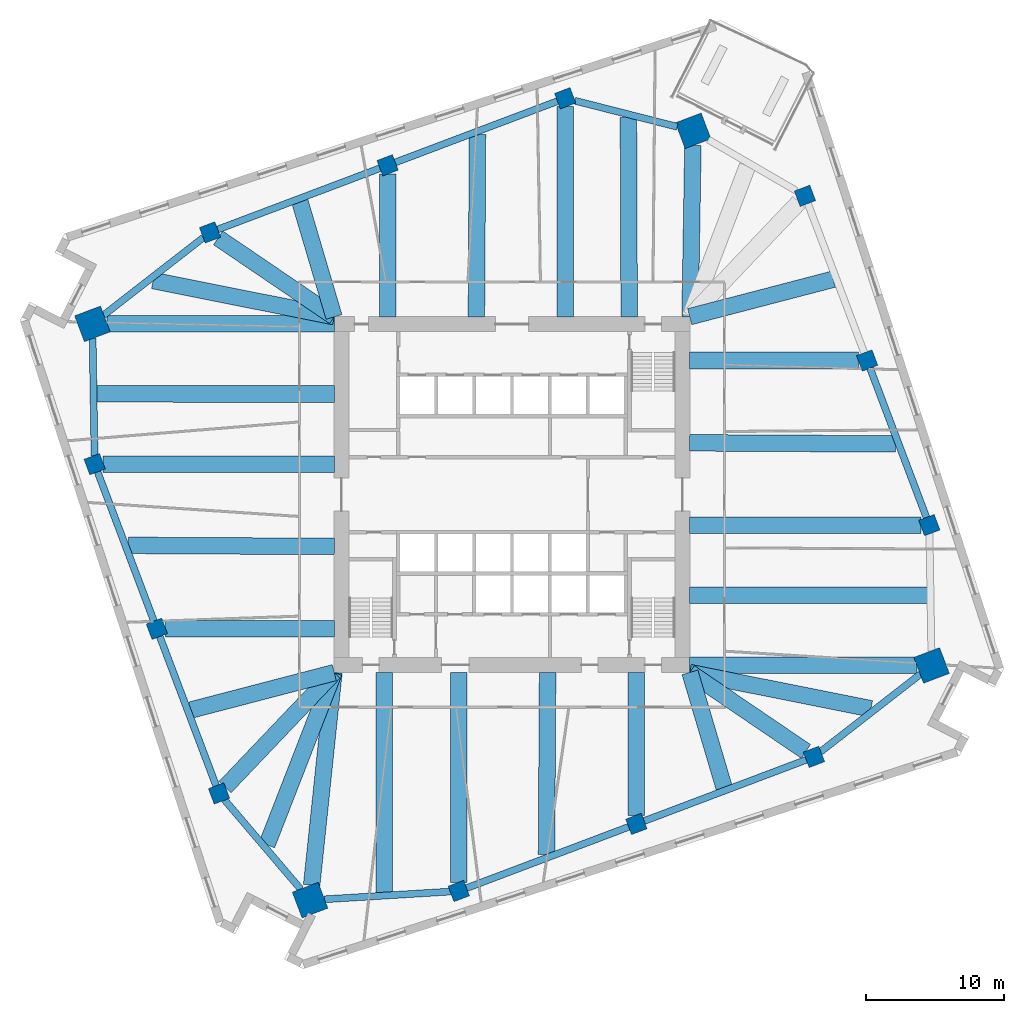
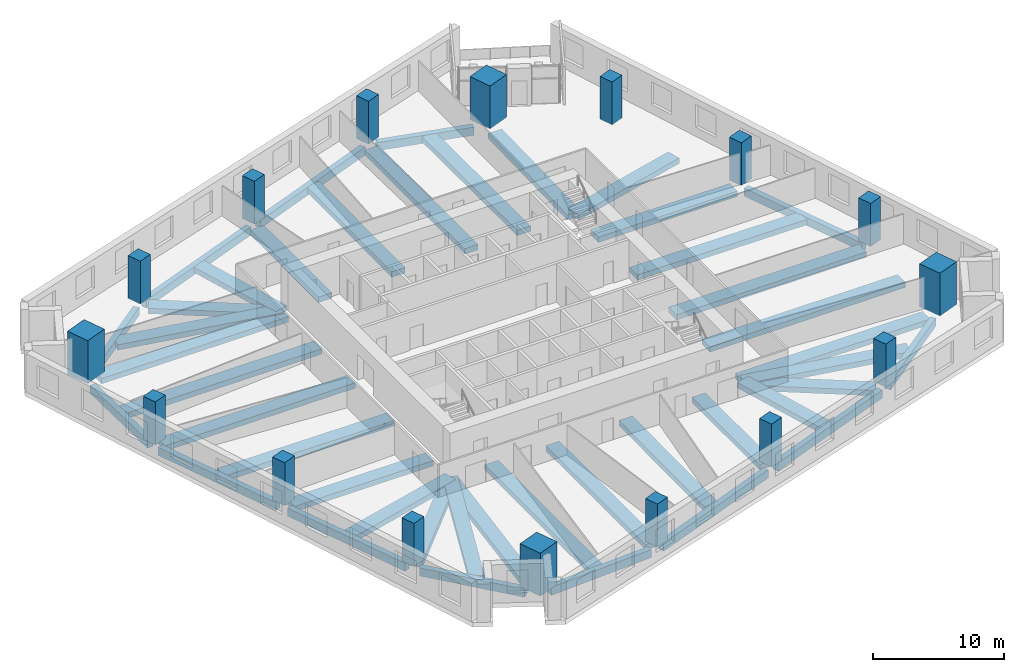
# One storey, part 1 of 12: 43 beams, 16 columns.
"""IFC4 building model written with IfcOpenShell, lengths in metres."""

from ifc_helpers import new_model, si_unit, direction, frame, origin, origin_2d, place, context, subcontext, project, spatial, rectangle, extrude, material, material_profile, profile_set, type_object, element, save


model = new_model("IFC4")

# Units and contexts
model_context = context("Model", 3, precision=1e-05, world=origin(), true_north=direction((0.0, 1.0)))
body_context = subcontext(model_context, "Body", "Model", "MODEL_VIEW")
ifc_project = project(units=[si_unit("LENGTHUNIT", "METRE"), si_unit("AREAUNIT", "SQUARE_METRE"), si_unit("VOLUMEUNIT", "CUBIC_METRE"), si_unit("PLANEANGLEUNIT", "RADIAN"), si_unit("MASSUNIT", "GRAM", prefix="KILO")], contexts=[model_context])

# Site, building, storey
site_placement = place(None, origin())
site = spatial("IfcSite", under=ifc_project, at=site_placement, CompositionType="ELEMENT")
building_placement = place(site_placement, origin())
building = spatial("IfcBuilding", under=site, at=building_placement, Name="Dilmun Exchange Tower", CompositionType="ELEMENT")
storey_placement = place(building_placement, frame((0.0, 0.0, 98.10009765625)))
storey = spatial("IfcBuildingStorey", under=building, at=storey_placement, Name="L22", CompositionType="ELEMENT", Elevation=98.10009765625)

# Columns
ifc_material_1 = material(Name="Concrete C70/85", Category="concrete")
ifc_material_profile_1 = material_profile(ifc_material_1, rectangle(XDim=2.0, YDim=2.0, at=origin_2d()), Name="2000 x 2000")
ifc_profile_set_1 = profile_set([ifc_material_profile_1], Name="Concrete C70/85")
column_type_1 = type_object("IfcColumnType", Name="RC mega column 2000 x 2000 C70/85", PredefinedType="COLUMN", material=ifc_profile_set_1)
for number, where, z_axis, x_axis, name in (
    (1, (13.1220703125, 26.35400390625, 0.0), (0.0, 0.0, 1.0), (0.935491525991, 0.353349125935, 0.0), "Mega column M1"),
    (2, (-30.39404296875, 12.37109375, 0.0), (0.0, 0.0, 1.0), (0.935491525991, 0.353349125935, 0.0), "Mega column M2"),
    (3, (-14.6259765625, -29.3759765625, 0.0), (0.0, 0.0, 1.0), (0.935491525991, 0.353349125935, 0.0), "Mega column M3"),
    (4, (30.39404296875, -12.37109375, 0.0), (0.0, 0.0, 1.0), (0.935491525991, 0.353349125935, 0.0), "Mega column M4"),
):
    element("IfcColumn", number, at=place(storey_placement, frame(where, z_axis=z_axis, x_axis=x_axis)), inside=storey, type_object=column_type_1, Name=name, PredefinedType="COLUMN", context=body_context, shape_type="SweptSolid", body=[
        extrude(rectangle(XDim=2.0, YDim=2.0, at=origin_2d()), origin(), (0.0, 0.0, 1.0), 4.0),
    ])
ifc_material_profile_2 = material_profile(ifc_material_1, rectangle(XDim=1.199951171875, YDim=1.199951171875, at=origin_2d()), Name="1200 x 1200")
ifc_profile_set_2 = profile_set([ifc_material_profile_2], Name="Concrete C70/85")
column_type_2 = type_object("IfcColumnType", Name="RC ring column 1200 x 1200 C70/85", PredefinedType="COLUMN", material=ifc_profile_set_2)
for number, where, z_axis, x_axis, name in (
    (5, (3.85302734375, 28.714111328125, 0.0), (0.0, 0.0, 1.0), (0.935491525991, 0.353349125935, 0.0), "Ring column R01"),
    (6, (-9.010009765625, 23.85498046875, 0.0), (0.0, 0.0, 1.0), (0.935491525991, 0.353349125935, 0.0), "Ring column R02"),
    (7, (-21.873046875, 18.99609375, 0.0), (0.0, 0.0, 1.0), (0.935491525991, 0.353349125935, 0.0), "Ring column R03"),
    (8, (-30.23095703125, 2.2099609375, 0.0), (0.0, 0.0, 1.0), (0.935491525991, 0.353349125935, 0.0), "Ring column R04"),
    (9, (-25.72607421875, -9.717041015625, 0.0), (0.0, 0.0, 1.0), (0.935491525991, 0.353349125935, 0.0), "Ring column R05"),
    (10, (-21.220947265625, -21.64501953125, 0.0), (0.0, 0.0, 1.0), (0.935491525991, 0.353349125935, 0.0), "Ring column R06"),
    (11, (-3.85302734375, -28.714111328125, 0.0), (0.0, 0.0, 1.0), (0.935491525991, 0.353349125935, 0.0), "Ring column R07"),
    (12, (9.010009765625, -23.85498046875, 0.0), (0.0, 0.0, 1.0), (0.935491525991, 0.353349125935, 0.0), "Ring column R08"),
    (13, (21.873046875, -18.99609375, 0.0), (0.0, 0.0, 1.0), (0.935491525991, 0.353349125935, 0.0), "Ring column R09"),
    (14, (30.23095703125, -2.2099609375, 0.0), (0.0, 0.0, 1.0), (0.935491525991, 0.353349125935, 0.0), "Ring column R10"),
    (15, (25.72607421875, 9.717041015625, 0.0), (0.0, 0.0, 1.0), (0.935491525991, 0.353349125935, 0.0), "Ring column R11"),
    (16, (21.220947265625, 21.64501953125, 0.0), (0.0, 0.0, 1.0), (0.935491525991, 0.353349125935, 0.0), "Ring column R12"),
):
    element("IfcColumn", number, at=place(storey_placement, frame(where, z_axis=z_axis, x_axis=x_axis)), inside=storey, type_object=column_type_2, Name=name, PredefinedType="COLUMN", context=body_context, shape_type="SweptSolid", body=[
        extrude(rectangle(XDim=1.199951171875, YDim=1.199951171875, at=origin_2d()), origin(), (0.0, 0.0, 1.0), 4.0),
    ])

# Beams
ifc_material_2 = material(Name="Concrete C40/50", Category="concrete")
ifc_material_profile_3 = material_profile(ifc_material_2, rectangle(XDim=1.199951171875, YDim=0.5, at=origin_2d()), Name="1200 x 500")
ifc_profile_set_3 = profile_set([ifc_material_profile_3], Name="Concrete C40/50")
beam_type_1 = type_object("IfcBeamType", Name="RC band beam 1200 x 500 C40/50", PredefinedType="BEAM", material=ifc_profile_set_3)
beam_1_placement = place(storey_placement, frame((13.104736328125, 25.305419921875, -0.77001953125), z_axis=(-0.016493249431, -0.99986397711, 0.0), x_axis=(0.99986397711, -0.016493249431, 0.0)))
element("IfcBeam", 17, at=beam_1_placement, inside=storey, type_object=beam_type_1, Name="Band beam 1", PredefinedType="BEAM", context=body_context, shape_type="SweptSolid", body=[
    extrude(rectangle(XDim=1.199951171875, YDim=0.5, at=origin_2d()), origin(), (0.0, 0.0, 1.0), 12.43408203125),
])
beam_2_placement = place(storey_placement, frame((3.85302734375, 28.099609375, -0.77001953125), z_axis=(0.0, -1.0, 0.0), x_axis=(1.0, 0.0, 0.0)))
element("IfcBeam", 18, at=beam_2_placement, inside=storey, type_object=beam_type_1, Name="Band beam 2", PredefinedType="BEAM", context=body_context, shape_type="SweptSolid", body=[
    extrude(rectangle(XDim=1.199951171875, YDim=0.5, at=origin_2d()), origin(), (0.0, 0.0, 1.0), 15.2265625),
])
beam_3_placement = place(storey_placement, frame((-9.010009765625, 23.240478515625, -0.77001953125), z_axis=(0.0, -1.0, 0.0), x_axis=(1.0, 0.0, 0.0)))
element("IfcBeam", 19, at=beam_3_placement, inside=storey, type_object=beam_type_1, Name="Band beam 3", PredefinedType="BEAM", context=body_context, shape_type="SweptSolid", body=[
    extrude(rectangle(XDim=1.199951171875, YDim=0.5, at=origin_2d()), origin(), (0.0, 0.0, 1.0), 10.367431640625),
])
beam_4_placement = place(storey_placement, frame((-21.28857421875, 18.59912109375, -0.77001953125), z_axis=(0.827157308771, -0.561970449888, 0.0), x_axis=(0.561970449888, 0.827157308771, 0.0)))
element("IfcBeam", 20, at=beam_4_placement, inside=storey, type_object=beam_type_1, Name="Band beam 4", PredefinedType="BEAM", context=body_context, shape_type="SweptSolid", body=[
    extrude(rectangle(XDim=1.199951171875, YDim=0.5, at=origin_2d()), origin(), (0.0, 0.0, 1.0), 10.16845703125),
])
beam_5_placement = place(storey_placement, frame((-29.35205078125, 12.37109375, -0.77001953125), z_axis=(1.0, 0.0, 0.0), x_axis=(0.0, 1.0, 0.0)))
element("IfcBeam", 21, at=beam_5_placement, inside=storey, type_object=beam_type_1, Name="Band beam 5", PredefinedType="BEAM", context=body_context, shape_type="SweptSolid", body=[
    extrude(rectangle(XDim=1.199951171875, YDim=0.5, at=origin_2d()), origin(), (0.0, 0.0, 1.0), 16.47900390625),
])
beam_6_placement = place(storey_placement, frame((-29.61669921875, 2.2099609375, -0.77001953125), z_axis=(1.0, 0.0, 0.0), x_axis=(0.0, 1.0, 0.0)))
element("IfcBeam", 22, at=beam_6_placement, inside=storey, type_object=beam_type_1, Name="Band beam 6", PredefinedType="BEAM", context=body_context, shape_type="SweptSolid", body=[
    extrude(rectangle(XDim=1.199951171875, YDim=0.5, at=origin_2d()), origin(), (0.0, 0.0, 1.0), 16.74365234375),
])
beam_7_placement = place(storey_placement, frame((-25.111572265625, -9.717041015625, -0.77001953125), z_axis=(1.0, 0.0, 0.0), x_axis=(0.0, 1.0, 0.0)))
element("IfcBeam", 23, at=beam_7_placement, inside=storey, type_object=beam_type_1, Name="Band beam 7", PredefinedType="BEAM", context=body_context, shape_type="SweptSolid", body=[
    extrude(rectangle(XDim=1.199951171875, YDim=0.5, at=origin_2d()), origin(), (0.0, 0.0, 1.0), 12.238525390625),
])
beam_8_placement = place(storey_placement, frame((-20.780517578125, -21.181884765625, -0.77001953125), z_axis=(0.689333244672, 0.724444392476, 0.0), x_axis=(-0.724444392476, 0.689333244672, 0.0)))
element("IfcBeam", 24, at=beam_8_placement, inside=storey, type_object=beam_type_1, Name="Band beam 8", PredefinedType="BEAM", context=body_context, shape_type="SweptSolid", body=[
    extrude(rectangle(XDim=1.199951171875, YDim=0.5, at=origin_2d()), origin(), (0.0, 0.0, 1.0), 11.459228515625),
])
beam_9_placement = place(storey_placement, frame((-14.51220703125, -28.289794921875, -0.77001953125), z_axis=(0.104185478447, 0.994557884731, 0.0), x_axis=(-0.994557884731, 0.104185478447, 0.0)))
element("IfcBeam", 25, at=beam_9_placement, inside=storey, type_object=beam_type_1, Name="Band beam 9", PredefinedType="BEAM", context=body_context, shape_type="SweptSolid", body=[
    extrude(rectangle(XDim=1.199951171875, YDim=0.5, at=origin_2d()), origin(), (0.0, 0.0, 1.0), 15.501220703125),
])
beam_10_placement = place(storey_placement, frame((-3.85302734375, -28.099609375, -0.77001953125), z_axis=(0.0, 1.0, 0.0), x_axis=(-1.0, 0.0, 0.0)))
element("IfcBeam", 26, at=beam_10_placement, inside=storey, type_object=beam_type_1, Name="Band beam 10", PredefinedType="BEAM", context=body_context, shape_type="SweptSolid", body=[
    extrude(rectangle(XDim=1.199951171875, YDim=0.5, at=origin_2d()), origin(), (0.0, 0.0, 1.0), 15.2265625),
])
beam_11_placement = place(storey_placement, frame((9.010009765625, -23.240478515625, -0.77001953125), z_axis=(0.0, 1.0, 0.0), x_axis=(-1.0, 0.0, 0.0)))
element("IfcBeam", 27, at=beam_11_placement, inside=storey, type_object=beam_type_1, Name="Band beam 11", PredefinedType="BEAM", context=body_context, shape_type="SweptSolid", body=[
    extrude(rectangle(XDim=1.199951171875, YDim=0.5, at=origin_2d()), origin(), (0.0, 0.0, 1.0), 10.367431640625),
])
beam_12_placement = place(storey_placement, frame((21.28857421875, -18.59912109375, -0.77001953125), z_axis=(-0.827157308771, 0.561970449888, 0.0), x_axis=(-0.561970449888, -0.827157308771, 0.0)))
element("IfcBeam", 28, at=beam_12_placement, inside=storey, type_object=beam_type_1, Name="Band beam 12", PredefinedType="BEAM", context=body_context, shape_type="SweptSolid", body=[
    extrude(rectangle(XDim=1.199951171875, YDim=0.5, at=origin_2d()), origin(), (0.0, 0.0, 1.0), 10.16845703125),
])
beam_13_placement = place(storey_placement, frame((29.35205078125, -12.37109375, -0.77001953125), z_axis=(-1.0, 0.0, 0.0), x_axis=(0.0, -1.0, 0.0)))
element("IfcBeam", 29, at=beam_13_placement, inside=storey, type_object=beam_type_1, Name="Band beam 13", PredefinedType="BEAM", context=body_context, shape_type="SweptSolid", body=[
    extrude(rectangle(XDim=1.199951171875, YDim=0.5, at=origin_2d()), origin(), (0.0, 0.0, 1.0), 16.47900390625),
])
beam_14_placement = place(storey_placement, frame((29.61669921875, -2.2099609375, -0.77001953125), z_axis=(-1.0, 0.0, 0.0), x_axis=(0.0, -1.0, 0.0)))
element("IfcBeam", 30, at=beam_14_placement, inside=storey, type_object=beam_type_1, Name="Band beam 14", PredefinedType="BEAM", context=body_context, shape_type="SweptSolid", body=[
    extrude(rectangle(XDim=1.199951171875, YDim=0.5, at=origin_2d()), origin(), (0.0, 0.0, 1.0), 16.74365234375),
])
beam_15_placement = place(storey_placement, frame((25.111572265625, 9.717041015625, -0.77001953125), z_axis=(-1.0, 0.0, 0.0), x_axis=(0.0, -1.0, 0.0)))
element("IfcBeam", 31, at=beam_15_placement, inside=storey, type_object=beam_type_1, Name="Band beam 15", PredefinedType="BEAM", context=body_context, shape_type="SweptSolid", body=[
    extrude(rectangle(XDim=1.199951171875, YDim=0.5, at=origin_2d()), origin(), (0.0, 0.0, 1.0), 12.238525390625),
])
beam_16_placement = place(storey_placement, frame((8.4326171875, 27.31787109375, -0.670166015625), z_axis=(0.003802832253, -0.999992769207, 0.0), x_axis=(0.999992769207, 0.003802832253, 0.0)))
element("IfcBeam", 32, at=beam_16_placement, inside=storey, type_object=beam_type_1, Name="Band beam 17", PredefinedType="BEAM", context=body_context, shape_type="SweptSolid", body=[
    extrude(rectangle(XDim=1.199951171875, YDim=0.5, at=origin_2d()), origin(), (0.0, 0.0, 1.0), 14.44482421875),
])
beam_17_placement = place(storey_placement, frame((-2.499755859375, 26.075927734375, -0.670166015625), z_axis=(-0.005972637047, -0.999982163644, 0.0), x_axis=(0.999982163644, -0.005972637047, 0.0)))
element("IfcBeam", 33, at=beam_17_placement, inside=storey, type_object=beam_type_1, Name="Band beam 18", PredefinedType="BEAM", context=body_context, shape_type="SweptSolid", body=[
    extrude(rectangle(XDim=1.199951171875, YDim=0.5, at=origin_2d()), origin(), (0.0, 0.0, 1.0), 13.203125),
])
beam_18_placement = place(storey_placement, frame((-15.36279296875, 21.216796875, -0.670166015625), z_axis=(0.283932601838, -0.958844240538, 0.0), x_axis=(0.958844240538, 0.283932601838, 0.0)))
element("IfcBeam", 34, at=beam_18_placement, inside=storey, type_object=beam_type_1, Name="Band beam 19", PredefinedType="BEAM", context=body_context, shape_type="SweptSolid", body=[
    extrude(rectangle(XDim=1.199951171875, YDim=0.5, at=origin_2d()), origin(), (0.0, 0.0, 1.0), 8.700927734375),
])
beam_19_placement = place(storey_placement, frame((-25.99658203125, 15.50732421875, -0.670166015625), z_axis=(0.980746640289, -0.19528447855, 0.0), x_axis=(0.19528447855, 0.980746640289, 0.0)))
element("IfcBeam", 35, at=beam_19_placement, inside=storey, type_object=beam_type_1, Name="Band beam 20", PredefinedType="BEAM", context=body_context, shape_type="SweptSolid", body=[
    extrude(rectangle(XDim=1.199951171875, YDim=0.5, at=origin_2d()), origin(), (0.0, 0.0, 1.0), 13.380615234375),
])
beam_20_placement = place(storey_placement, frame((-30.089599609375, 7.294189453125, -0.670166015625), z_axis=(0.999999977378, -0.000212708627, 0.0), x_axis=(0.000212708627, 0.999999977378, 0.0)))
element("IfcBeam", 36, at=beam_20_placement, inside=storey, type_object=beam_type_1, Name="Band beam 21", PredefinedType="BEAM", context=body_context, shape_type="SweptSolid", body=[
    extrude(rectangle(XDim=1.199951171875, YDim=0.5, at=origin_2d()), origin(), (0.0, 0.0, 1.0), 17.216552734375),
])
beam_21_placement = place(storey_placement, frame((-27.77001953125, -3.6748046875, -0.670166015625), z_axis=(0.999986076233, -0.005277057861, 0.0), x_axis=(0.005277057861, 0.999986076233, 0.0)))
element("IfcBeam", 37, at=beam_21_placement, inside=storey, type_object=beam_type_1, Name="Band beam 22", PredefinedType="BEAM", context=body_context, shape_type="SweptSolid", body=[
    extrude(rectangle(XDim=1.199951171875, YDim=0.5, at=origin_2d()), origin(), (0.0, 0.0, 1.0), 14.897216796875),
])
beam_22_placement = place(storey_placement, frame((-23.264892578125, -15.602294921875, -0.670166015625), z_axis=(0.967651305888, 0.252291399404, 0.0), x_axis=(-0.252291399404, 0.967651305888, 0.0)))
element("IfcBeam", 38, at=beam_22_placement, inside=storey, type_object=beam_type_1, Name="Band beam 23", PredefinedType="BEAM", context=body_context, shape_type="SweptSolid", body=[
    extrude(rectangle(XDim=1.199951171875, YDim=0.5, at=origin_2d()), origin(), (0.0, 0.0, 1.0), 10.738525390625),
])
beam_23_placement = place(storey_placement, frame((-17.75390625, -25.36572265625, -0.670166015625), z_axis=(0.362868113779, 0.931840507814, 0.0), x_axis=(-0.931840507814, 0.362868113779, 0.0)))
element("IfcBeam", 39, at=beam_23_placement, inside=storey, type_object=beam_type_1, Name="Band beam 24", PredefinedType="BEAM", context=body_context, shape_type="SweptSolid", body=[
    extrude(rectangle(XDim=1.199951171875, YDim=0.5, at=origin_2d()), origin(), (0.0, 0.0, 1.0), 13.404296875),
])
beam_24_placement = place(storey_placement, frame((-9.253173828125, -28.822509765625, -0.670166015625), z_axis=(0.000857199397, 0.999999632605, 0.0), x_axis=(-0.999999632605, 0.000857199397, 0.0)))
element("IfcBeam", 40, at=beam_24_placement, inside=storey, type_object=beam_type_1, Name="Band beam 25", PredefinedType="BEAM", context=body_context, shape_type="SweptSolid", body=[
    extrude(rectangle(XDim=1.199951171875, YDim=0.5, at=origin_2d()), origin(), (0.0, 0.0, 1.0), 15.949462890625),
])
beam_25_placement = place(storey_placement, frame((2.499755859375, -26.075927734375, -0.670166015625), z_axis=(0.005972637047, 0.999982163644, 0.0), x_axis=(-0.999982163644, 0.005972637047, 0.0)))
element("IfcBeam", 41, at=beam_25_placement, inside=storey, type_object=beam_type_1, Name="Band beam 26", PredefinedType="BEAM", context=body_context, shape_type="SweptSolid", body=[
    extrude(rectangle(XDim=1.199951171875, YDim=0.5, at=origin_2d()), origin(), (0.0, 0.0, 1.0), 13.203125),
])
beam_26_placement = place(storey_placement, frame((15.36279296875, -21.216796875, -0.670166015625), z_axis=(-0.283932601838, 0.958844240538, 0.0), x_axis=(-0.958844240538, -0.283932601838, 0.0)))
element("IfcBeam", 42, at=beam_26_placement, inside=storey, type_object=beam_type_1, Name="Band beam 27", PredefinedType="BEAM", context=body_context, shape_type="SweptSolid", body=[
    extrude(rectangle(XDim=1.199951171875, YDim=0.5, at=origin_2d()), origin(), (0.0, 0.0, 1.0), 8.700927734375),
])
beam_27_placement = place(storey_placement, frame((25.99658203125, -15.50732421875, -0.670166015625), z_axis=(-0.980746640289, 0.19528447855, 0.0), x_axis=(-0.19528447855, -0.980746640289, 0.0)))
element("IfcBeam", 43, at=beam_27_placement, inside=storey, type_object=beam_type_1, Name="Band beam 28", PredefinedType="BEAM", context=body_context, shape_type="SweptSolid", body=[
    extrude(rectangle(XDim=1.199951171875, YDim=0.5, at=origin_2d()), origin(), (0.0, 0.0, 1.0), 13.380615234375),
])
beam_28_placement = place(storey_placement, frame((30.089599609375, -7.294189453125, -0.670166015625), z_axis=(-0.999999977378, 0.000212708627, 0.0), x_axis=(-0.000212708627, -0.999999977378, 0.0)))
element("IfcBeam", 44, at=beam_28_placement, inside=storey, type_object=beam_type_1, Name="Band beam 29", PredefinedType="BEAM", context=body_context, shape_type="SweptSolid", body=[
    extrude(rectangle(XDim=1.199951171875, YDim=0.5, at=origin_2d()), origin(), (0.0, 0.0, 1.0), 17.216552734375),
])
beam_29_placement = place(storey_placement, frame((27.77001953125, 3.6748046875, -0.670166015625), z_axis=(-0.999986076233, 0.005277057861, 0.0), x_axis=(-0.005277057861, -0.999986076233, 0.0)))
element("IfcBeam", 45, at=beam_29_placement, inside=storey, type_object=beam_type_1, Name="Band beam 30", PredefinedType="BEAM", context=body_context, shape_type="SweptSolid", body=[
    extrude(rectangle(XDim=1.199951171875, YDim=0.5, at=origin_2d()), origin(), (0.0, 0.0, 1.0), 14.897216796875),
])
beam_30_placement = place(storey_placement, frame((23.264892578125, 15.602294921875, -0.670166015625), z_axis=(-0.967651305888, -0.252291399404, 0.0), x_axis=(0.252291399404, -0.967651305888, 0.0)))
element("IfcBeam", 46, at=beam_30_placement, inside=storey, type_object=beam_type_1, Name="Band beam 31", PredefinedType="BEAM", context=body_context, shape_type="SweptSolid", body=[
    extrude(rectangle(XDim=1.199951171875, YDim=0.5, at=origin_2d()), origin(), (0.0, 0.0, 1.0), 10.738525390625),
])
ifc_material_profile_4 = material_profile(ifc_material_2, rectangle(XDim=0.5, YDim=0.75, at=origin_2d()), Name="500 x 750")
ifc_profile_set_4 = profile_set([ifc_material_profile_4], Name="Concrete C40/50")
beam_type_2 = type_object("IfcBeamType", Name="RC ring beam 500 x 750 C40/50", PredefinedType="SPANDREL", material=ifc_profile_set_4)
beam_31_placement = place(storey_placement, frame((11.965576171875, 26.6484375, -0.795166015625), z_axis=(-0.969078622485, 0.246752149825, 0.0), x_axis=(-0.246752149825, -0.969078622485, 0.0)))
element("IfcBeam", 47, at=beam_31_placement, inside=storey, type_object=beam_type_2, Name="Ring beam 1", PredefinedType="SPANDREL", context=body_context, shape_type="SweptSolid", body=[
    extrude(rectangle(XDim=0.5, YDim=0.75, at=origin_2d()), origin(), (0.0, 0.0, 1.0), 7.666015625),
])
for number, where, z_axis, x_axis, name in (
    (48, (3.31689453125, 28.511474609375, -0.795166015625), (-0.935485896268, -0.353364030264, 0.0), (0.353364030264, -0.935485896268, 0.0), "Ring beam 2"),
    (49, (-9.5458984375, 23.652587890625, -0.795166015625), (-0.935479493126, -0.353380981294, 0.0), (0.353380981294, -0.935479493126, 0.0), "Ring beam 3"),
):
    element("IfcBeam", number, at=place(storey_placement, frame(where, z_axis=z_axis, x_axis=x_axis)), inside=storey, type_object=beam_type_2, Name=name, PredefinedType="SPANDREL", context=body_context, shape_type="SweptSolid", body=[
        extrude(rectangle(XDim=0.5, YDim=0.75, at=origin_2d()), origin(), (0.0, 0.0, 1.0), 12.604248046875),
    ])
beam_32_placement = place(storey_placement, frame((-22.347412109375, 18.627197265625, -0.795166015625), z_axis=(-0.789461122688, -0.613800566767, 0.0), x_axis=(0.613800566767, -0.789461122688, 0.0)))
element("IfcBeam", 50, at=beam_32_placement, inside=storey, type_object=beam_type_2, Name="Ring beam 4", PredefinedType="SPANDREL", context=body_context, shape_type="SweptSolid", body=[
    extrude(rectangle(XDim=0.5, YDim=0.75, at=origin_2d()), origin(), (0.0, 0.0, 1.0), 9.1728515625),
])
beam_33_placement = place(storey_placement, frame((-30.37744140625, 11.33544921875, -0.795166015625), z_axis=(0.016054357527, -0.999871120497, 0.0), x_axis=(0.999871120497, 0.016054357527, 0.0)))
element("IfcBeam", 51, at=beam_33_placement, inside=storey, type_object=beam_type_2, Name="Ring beam 5", PredefinedType="SPANDREL", context=body_context, shape_type="SweptSolid", body=[
    extrude(rectangle(XDim=0.5, YDim=0.75, at=origin_2d()), origin(), (0.0, 0.0, 1.0), 8.515869140625),
])
beam_34_placement = place(storey_placement, frame((-30.028564453125, 1.674072265625, -0.795166015625), z_axis=(0.353349831573, -0.935491259461, 0.0), x_axis=(0.935491259461, 0.353349831573, 0.0)))
element("IfcBeam", 52, at=beam_34_placement, inside=storey, type_object=beam_type_2, Name="Ring beam 6", PredefinedType="SPANDREL", context=body_context, shape_type="SweptSolid", body=[
    extrude(rectangle(XDim=0.5, YDim=0.75, at=origin_2d()), origin(), (0.0, 0.0, 1.0), 11.603515625),
])
beam_35_placement = place(storey_placement, frame((-25.5234375, -10.2529296875, -0.795166015625), z_axis=(0.353303601311, -0.935508720056, 0.0), x_axis=(0.935508720056, 0.353303601311, 0.0)))
element("IfcBeam", 53, at=beam_35_placement, inside=storey, type_object=beam_type_2, Name="Ring beam 7", PredefinedType="SPANDREL", context=body_context, shape_type="SweptSolid", body=[
    extrude(rectangle(XDim=0.5, YDim=0.75, at=origin_2d()), origin(), (0.0, 0.0, 1.0), 11.604248046875),
])
beam_36_placement = place(storey_placement, frame((-20.82470703125, -22.109619140625, -0.795166015625), z_axis=(0.64900225023, -0.76078648726, 0.0), x_axis=(0.76078648726, 0.64900225023, 0.0)))
element("IfcBeam", 54, at=beam_36_placement, inside=storey, type_object=beam_type_2, Name="Ring beam 8", PredefinedType="SPANDREL", context=body_context, shape_type="SweptSolid", body=[
    extrude(rectangle(XDim=0.5, YDim=0.75, at=origin_2d()), origin(), (0.0, 0.0, 1.0), 8.515625),
])
beam_37_placement = place(storey_placement, frame((-13.608154296875, -29.3134765625, -0.795166015625), z_axis=(0.998117890072, 0.061324363166, 0.0), x_axis=(-0.061324363166, 0.998117890072, 0.0)))
element("IfcBeam", 55, at=beam_37_placement, inside=storey, type_object=beam_type_2, Name="Ring beam 9", PredefinedType="SPANDREL", context=body_context, shape_type="SweptSolid", body=[
    extrude(rectangle(XDim=0.5, YDim=0.75, at=origin_2d()), origin(), (0.0, 0.0, 1.0), 9.172607421875),
])
for number, where, z_axis, x_axis, name in (
    (56, (-3.31689453125, -28.511474609375, -0.795166015625), (0.935485896268, 0.353364030264, 0.0), (-0.353364030264, 0.935485896268, 0.0), "Ring beam 10"),
    (57, (9.5458984375, -23.652587890625, -0.795166015625), (0.935479493126, 0.353380981294, 0.0), (-0.353380981294, 0.935479493126, 0.0), "Ring beam 11"),
):
    element("IfcBeam", number, at=place(storey_placement, frame(where, z_axis=z_axis, x_axis=x_axis)), inside=storey, type_object=beam_type_2, Name=name, PredefinedType="SPANDREL", context=body_context, shape_type="SweptSolid", body=[
        extrude(rectangle(XDim=0.5, YDim=0.75, at=origin_2d()), origin(), (0.0, 0.0, 1.0), 12.604248046875),
    ])
beam_38_placement = place(storey_placement, frame((22.347412109375, -18.627197265625, -0.795166015625), z_axis=(0.789461122688, 0.613800566767, 0.0), x_axis=(-0.613800566767, 0.789461122688, 0.0)))
element("IfcBeam", 58, at=beam_38_placement, inside=storey, type_object=beam_type_2, Name="Ring beam 12", PredefinedType="SPANDREL", context=body_context, shape_type="SweptSolid", body=[
    extrude(rectangle(XDim=0.5, YDim=0.75, at=origin_2d()), origin(), (0.0, 0.0, 1.0), 9.1728515625),
])
beam_39_placement = place(storey_placement, frame((30.028564453125, -1.674072265625, -0.795166015625), z_axis=(-0.353349831573, 0.935491259461, 0.0), x_axis=(-0.935491259461, -0.353349831573, 0.0)))
element("IfcBeam", 59, at=beam_39_placement, inside=storey, type_object=beam_type_2, Name="Ring beam 14", PredefinedType="SPANDREL", context=body_context, shape_type="SweptSolid", body=[
    extrude(rectangle(XDim=0.5, YDim=0.75, at=origin_2d()), origin(), (0.0, 0.0, 1.0), 11.603515625),
])

save(model, "model.ifc")
